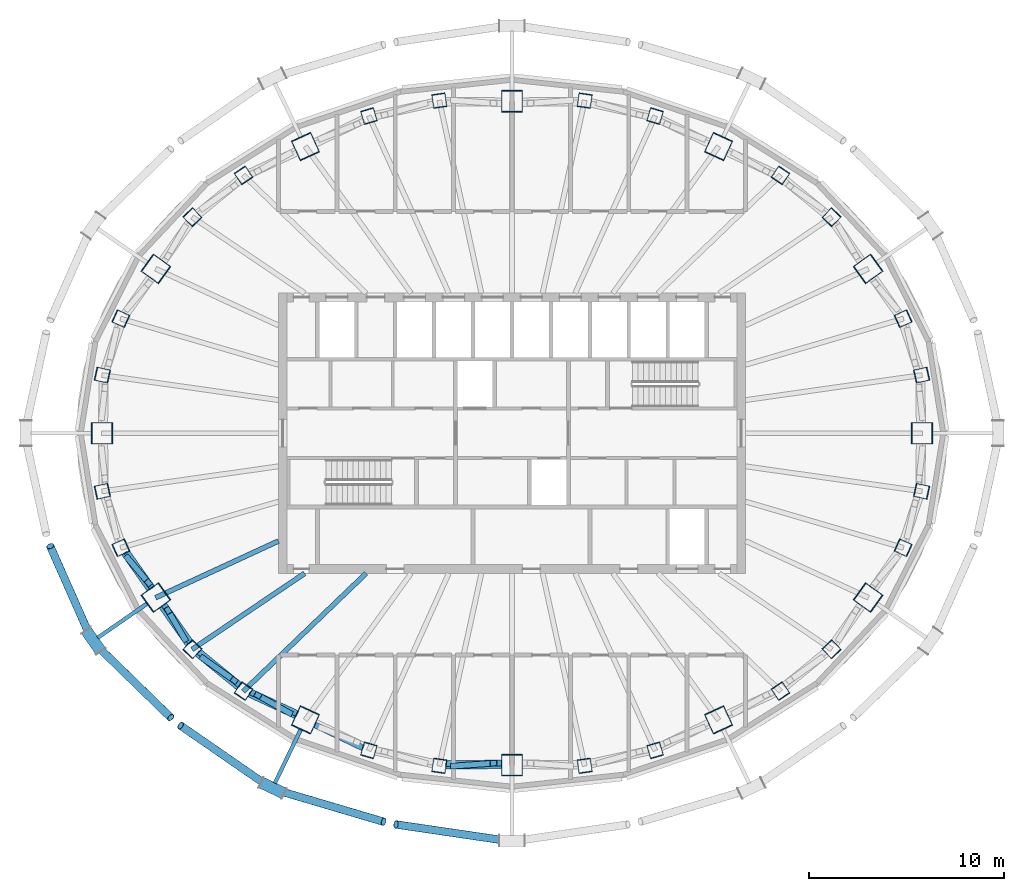
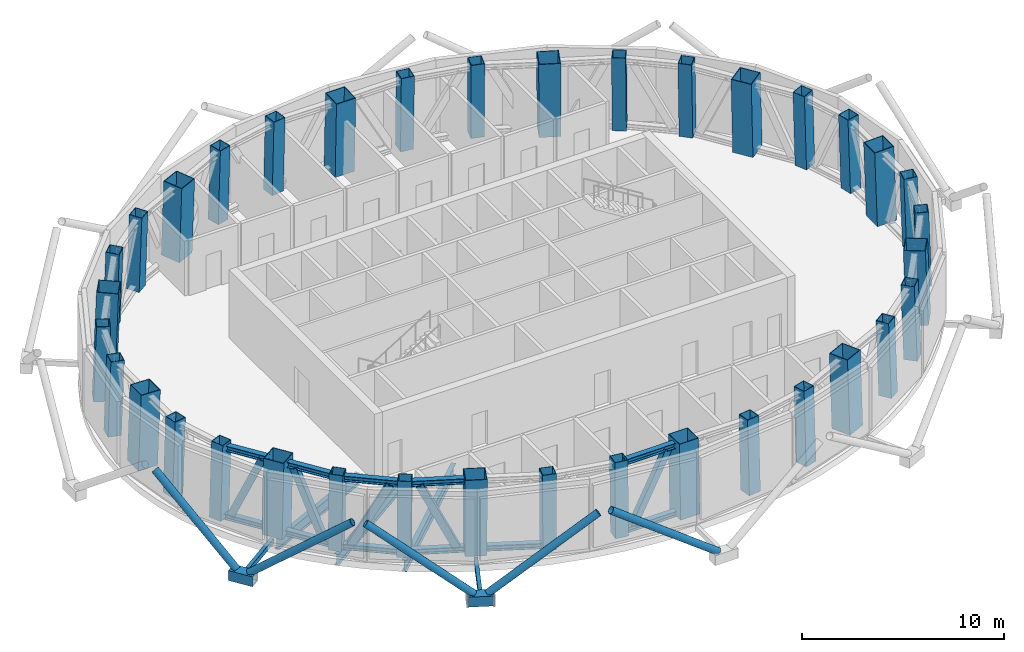
# One storey, part 1 of 15: 36 columns, 14 beams, 14 members.
"""IFC4 building model written with IfcOpenShell, lengths in metres."""

from ifc_helpers import new_model, si_unit, direction, frame, origin, origin_2d, place, context, subcontext, project, spatial, hollow_rectangle, hollow_circle, i_section, extrude, material, material_profile, profile_set, type_object, element, save


model = new_model("IFC4")

# Units and contexts
model_context = context("Model", 3, precision=1e-05, world=origin(), true_north=direction((0.0, 1.0)))
body_context = subcontext(model_context, "Body", "Model", "MODEL_VIEW")
ifc_project = project(units=[si_unit("LENGTHUNIT", "METRE"), si_unit("AREAUNIT", "SQUARE_METRE"), si_unit("VOLUMEUNIT", "CUBIC_METRE"), si_unit("PLANEANGLEUNIT", "RADIAN"), si_unit("MASSUNIT", "GRAM", prefix="KILO")], contexts=[model_context])

# Site, building, storey
site_placement = place(None, origin())
site = spatial("IfcSite", under=ifc_project, at=site_placement, CompositionType="ELEMENT")
building_placement = place(site_placement, origin())
building = spatial("IfcBuilding", under=site, at=building_placement, Name="Siaravel Broadcast Tower", CompositionType="ELEMENT")
storey_placement = place(building_placement, frame((0.0, 0.0, 212.60009765625)))
storey = spatial("IfcBuildingStorey", under=building, at=storey_placement, Name="L51", CompositionType="ELEMENT", Elevation=212.60009765625)

# Columns
ifc_material_1 = material(Name="Concrete C60/75", Category="concrete")
ifc_material_profile_1 = material_profile(ifc_material_1, hollow_rectangle(XDim=1.10009765625, YDim=1.10009765625, WallThickness=0.031982421875, at=origin_2d()))
ifc_profile_set_1 = profile_set([ifc_material_profile_1], Name="Concrete C60/75")
column_type_1 = type_object("IfcColumnType", Name="COL-CFT BOX 1100x1100x32", PredefinedType="COLUMN", material=ifc_profile_set_1)
column_1_placement = place(storey_placement, frame((21.083984375, 0.0, 0.0), z_axis=(-0.034592998, 0.0, 0.999401483), x_axis=(0.0, -1.0, 0.0)))
element("IfcColumn", 1, at=column_1_placement, inside=storey, type_object=column_type_1, Name="Megacolumn MC01", PredefinedType="COLUMN", context=body_context, shape_type="SweptSolid", body=[
    extrude(hollow_rectangle(XDim=1.10009765625, YDim=1.10009765625, WallThickness=0.031982421875, at=origin_2d()), origin(), (0.0, 0.0, 1.0), 4.502685546875),
])
column_2_placement = place(storey_placement, frame((18.312744140625, 8.451904296875, 0.0), z_axis=(-0.029931498, -0.014152393, 0.999451757), x_axis=(0.583579354, -0.81203411, 0.005978456)))
element("IfcColumn", 2, at=column_2_placement, inside=storey, type_object=column_type_1, Name="Megacolumn MC02", PredefinedType="COLUMN", context=body_context, shape_type="SweptSolid", body=[
    extrude(hollow_rectangle(XDim=1.10009765625, YDim=1.10009765625, WallThickness=0.031982421875, at=origin_2d()), origin(), (0.0, 0.0, 1.0), 4.50244140625),
])
column_3_placement = place(storey_placement, frame((10.62158203125, 14.7421875, 0.0), z_axis=(-0.017244854, -0.024511554, 0.999550798), x_axis=(0.908709687, -0.417393207, 0.005442055)))
element("IfcColumn", 3, at=column_3_placement, inside=storey, type_object=column_type_1, Name="Megacolumn MC03", PredefinedType="COLUMN", context=body_context, shape_type="SweptSolid", body=[
    extrude(hollow_rectangle(XDim=1.10009765625, YDim=1.10009765625, WallThickness=0.031982421875, at=origin_2d()), origin(), (0.0, 0.0, 1.0), 4.501953125),
])
column_4_placement = place(storey_placement, frame((0.0, 17.0712890625, 0.0), z_axis=(0.0, -0.02836315, 0.999597685), x_axis=(1.0, 0.0, 0.0)))
element("IfcColumn", 4, at=column_4_placement, inside=storey, type_object=column_type_1, Name="Megacolumn MC04", PredefinedType="COLUMN", context=body_context, shape_type="SweptSolid", body=[
    extrude(hollow_rectangle(XDim=1.10009765625, YDim=1.10009765625, WallThickness=0.031982421875, at=origin_2d()), origin(), (0.0, 0.0, 1.0), 4.501708984375),
])
column_5_placement = place(storey_placement, frame((-10.62158203125, 14.7421875, 0.0), z_axis=(0.017244854, -0.024511554, 0.999550798), x_axis=(0.908709687, 0.417393207, -0.005442055)))
element("IfcColumn", 5, at=column_5_placement, inside=storey, type_object=column_type_1, Name="Megacolumn MC05", PredefinedType="COLUMN", context=body_context, shape_type="SweptSolid", body=[
    extrude(hollow_rectangle(XDim=1.10009765625, YDim=1.10009765625, WallThickness=0.031982421875, at=origin_2d()), origin(), (0.0, 0.0, 1.0), 4.501953125),
])
column_6_placement = place(storey_placement, frame((-18.312744140625, 8.451904296875, 0.0), z_axis=(0.029931498, -0.014152393, 0.999451757), x_axis=(0.583579354, 0.81203411, -0.005978456)))
element("IfcColumn", 6, at=column_6_placement, inside=storey, type_object=column_type_1, Name="Megacolumn MC06", PredefinedType="COLUMN", context=body_context, shape_type="SweptSolid", body=[
    extrude(hollow_rectangle(XDim=1.10009765625, YDim=1.10009765625, WallThickness=0.031982421875, at=origin_2d()), origin(), (0.0, 0.0, 1.0), 4.50244140625),
])
column_7_placement = place(storey_placement, frame((-21.083984375, 0.0, 0.0), z_axis=(0.034592998, 0.0, 0.999401483), x_axis=(0.0, 1.0, 0.0)))
element("IfcColumn", 7, at=column_7_placement, inside=storey, type_object=column_type_1, Name="Megacolumn MC07", PredefinedType="COLUMN", context=body_context, shape_type="SweptSolid", body=[
    extrude(hollow_rectangle(XDim=1.10009765625, YDim=1.10009765625, WallThickness=0.031982421875, at=origin_2d()), origin(), (0.0, 0.0, 1.0), 4.502685546875),
])
column_8_placement = place(storey_placement, frame((-18.312744140625, -8.451904296875, 0.0), z_axis=(0.029931498, 0.014152393, 0.999451757), x_axis=(-0.583579354, 0.81203411, 0.005978456)))
element("IfcColumn", 8, at=column_8_placement, inside=storey, type_object=column_type_1, Name="Megacolumn MC08", PredefinedType="COLUMN", context=body_context, shape_type="SweptSolid", body=[
    extrude(hollow_rectangle(XDim=1.10009765625, YDim=1.10009765625, WallThickness=0.031982421875, at=origin_2d()), origin(), (0.0, 0.0, 1.0), 4.50244140625),
])
column_9_placement = place(storey_placement, frame((-10.62158203125, -14.7421875, 0.0), z_axis=(0.017244854, 0.024511554, 0.999550798), x_axis=(-0.908709687, 0.417393207, 0.005442055)))
element("IfcColumn", 9, at=column_9_placement, inside=storey, type_object=column_type_1, Name="Megacolumn MC09", PredefinedType="COLUMN", context=body_context, shape_type="SweptSolid", body=[
    extrude(hollow_rectangle(XDim=1.10009765625, YDim=1.10009765625, WallThickness=0.031982421875, at=origin_2d()), origin(), (0.0, 0.0, 1.0), 4.501953125),
])
column_10_placement = place(storey_placement, frame((0.0, -17.0712890625, 0.0), z_axis=(0.0, 0.02836315, 0.999597685), x_axis=(-1.0, 0.0, 0.0)))
element("IfcColumn", 10, at=column_10_placement, inside=storey, type_object=column_type_1, Name="Megacolumn MC10", PredefinedType="COLUMN", context=body_context, shape_type="SweptSolid", body=[
    extrude(hollow_rectangle(XDim=1.10009765625, YDim=1.10009765625, WallThickness=0.031982421875, at=origin_2d()), origin(), (0.0, 0.0, 1.0), 4.501708984375),
])
column_11_placement = place(storey_placement, frame((10.62158203125, -14.7421875, 0.0), z_axis=(-0.017244854, 0.024511554, 0.999550798), x_axis=(-0.908709687, -0.417393207, -0.005442055)))
element("IfcColumn", 11, at=column_11_placement, inside=storey, type_object=column_type_1, Name="Megacolumn MC11", PredefinedType="COLUMN", context=body_context, shape_type="SweptSolid", body=[
    extrude(hollow_rectangle(XDim=1.10009765625, YDim=1.10009765625, WallThickness=0.031982421875, at=origin_2d()), origin(), (0.0, 0.0, 1.0), 4.501953125),
])
column_12_placement = place(storey_placement, frame((18.312744140625, -8.451904296875, 0.0), z_axis=(-0.029931498, 0.014152393, 0.999451757), x_axis=(-0.583579354, -0.81203411, -0.005978456)))
element("IfcColumn", 12, at=column_12_placement, inside=storey, type_object=column_type_1, Name="Megacolumn MC12", PredefinedType="COLUMN", context=body_context, shape_type="SweptSolid", body=[
    extrude(hollow_rectangle(XDim=1.10009765625, YDim=1.10009765625, WallThickness=0.031982421875, at=origin_2d()), origin(), (0.0, 0.0, 1.0), 4.50244140625),
])
ifc_material_profile_2 = material_profile(ifc_material_1, hollow_rectangle(XDim=0.699951171875, YDim=0.699951171875, WallThickness=0.02490234375, at=origin_2d()))
ifc_profile_set_2 = profile_set([ifc_material_profile_2], Name="Concrete C60/75")
column_type_2 = type_object("IfcColumnType", Name="COL-CFT BOX 700x700x25", PredefinedType="COLUMN", material=ifc_profile_set_2)
for number, where, z_axis, x_axis, name in (
    (13, (21.06494140625, 2.987060546875, 0.0), (-0.034051008, -0.004934143, 0.999407916), (0.213381349, -0.976965922, 0.002446809), "Perimeter column C01"),
    (14, (20.114990234375, 5.89013671875, 0.0), (-0.032479153, -0.00970579, 0.999425286), (0.411040225, -0.911606077, 0.00450497), "Perimeter column C02"),
):
    element("IfcColumn", number, at=place(storey_placement, frame(where, z_axis=z_axis, x_axis=x_axis)), inside=storey, type_object=column_type_2, Name=name, PredefinedType="COLUMN", context=body_context, shape_type="SweptSolid", body=[
        extrude(hollow_rectangle(XDim=0.699951171875, YDim=0.699951171875, WallThickness=0.02490234375, at=origin_2d()), origin(), (0.0, 0.0, 1.0), 4.502685546875),
    ])
column_13_placement = place(storey_placement, frame((16.43505859375, 11.10791015625, 0.0), z_axis=(-0.026462027, -0.018219756, 0.999483768), x_axis=(0.72149767, -0.692386536, 0.006480522)))
element("IfcColumn", 15, at=column_13_placement, inside=storey, type_object=column_type_2, Name="Perimeter column C03", PredefinedType="COLUMN", context=body_context, shape_type="SweptSolid", body=[
    extrude(hollow_rectangle(XDim=0.699951171875, YDim=0.699951171875, WallThickness=0.02490234375, at=origin_2d()), origin(), (0.0, 0.0, 1.0), 4.50244140625),
])
column_14_placement = place(storey_placement, frame((13.806396484375, 13.2607421875, 0.0), z_axis=(-0.022233164, -0.021745119, 0.999516301), x_axis=(0.829145221, -0.558997976, 0.006282083)))
element("IfcColumn", 16, at=column_14_placement, inside=storey, type_object=column_type_2, Name="Perimeter column C04", PredefinedType="COLUMN", context=body_context, shape_type="SweptSolid", body=[
    extrude(hollow_rectangle(XDim=0.699951171875, YDim=0.699951171875, WallThickness=0.02490234375, at=origin_2d()), origin(), (0.0, 0.0, 1.0), 4.502197265625),
])
for number, where, z_axis, x_axis, name in (
    (17, (7.35888671875, 16.30859375, 0.0), (-0.011822237, -0.026627147, 0.999575525), (0.959998336, -0.2799786, 0.00389595), "Perimeter column C05"),
    (18, (3.73779296875, 17.103515625, 0.0), (-0.006019677, -0.027929132, 0.99959178), (0.990132449, -0.140119739, 0.002047691), "Perimeter column C06"),
    (19, (-3.73779296875, 17.103515625, 0.0), (0.006019677, -0.027929132, 0.99959178), (0.990132449, 0.140119739, -0.002047691), "Perimeter column C07"),
    (20, (-7.35888671875, 16.30859375, 0.0), (0.011822237, -0.026627147, 0.999575525), (0.959998336, 0.2799786, -0.00389595), "Perimeter column C08"),
):
    element("IfcColumn", number, at=place(storey_placement, frame(where, z_axis=z_axis, x_axis=x_axis)), inside=storey, type_object=column_type_2, Name=name, PredefinedType="COLUMN", context=body_context, shape_type="SweptSolid", body=[
        extrude(hollow_rectangle(XDim=0.699951171875, YDim=0.699951171875, WallThickness=0.02490234375, at=origin_2d()), origin(), (0.0, 0.0, 1.0), 4.501953125),
    ])
column_15_placement = place(storey_placement, frame((-13.806396484375, 13.2607421875, 0.0), z_axis=(0.022233164, -0.021745119, 0.999516301), x_axis=(0.829145221, 0.558997976, -0.006282083)))
element("IfcColumn", 21, at=column_15_placement, inside=storey, type_object=column_type_2, Name="Perimeter column C09", PredefinedType="COLUMN", context=body_context, shape_type="SweptSolid", body=[
    extrude(hollow_rectangle(XDim=0.699951171875, YDim=0.699951171875, WallThickness=0.02490234375, at=origin_2d()), origin(), (0.0, 0.0, 1.0), 4.502197265625),
])
column_16_placement = place(storey_placement, frame((-16.43505859375, 11.10791015625, 0.0), z_axis=(0.026462027, -0.018219756, 0.999483768), x_axis=(0.72149767, 0.692386536, -0.006480522)))
element("IfcColumn", 22, at=column_16_placement, inside=storey, type_object=column_type_2, Name="Perimeter column C10", PredefinedType="COLUMN", context=body_context, shape_type="SweptSolid", body=[
    extrude(hollow_rectangle(XDim=0.699951171875, YDim=0.699951171875, WallThickness=0.02490234375, at=origin_2d()), origin(), (0.0, 0.0, 1.0), 4.50244140625),
])
for number, where, z_axis, x_axis, name in (
    (23, (-20.114990234375, 5.89013671875, 0.0), (0.032479153, -0.00970579, 0.999425286), (0.411040225, 0.911606077, -0.00450497), "Perimeter column C11"),
    (24, (-21.06494140625, 2.987060546875, 0.0), (0.034051008, -0.004934143, 0.999407916), (0.213381349, 0.976965922, -0.002446809), "Perimeter column C12"),
    (25, (-21.06494140625, -2.987060546875, 0.0), (0.034051008, 0.004934143, 0.999407916), (-0.213381349, 0.976965922, 0.002446809), "Perimeter column C13"),
    (26, (-20.114990234375, -5.89013671875, 0.0), (0.032479153, 0.00970579, 0.999425286), (-0.411040225, 0.911606077, 0.00450497), "Perimeter column C14"),
):
    element("IfcColumn", number, at=place(storey_placement, frame(where, z_axis=z_axis, x_axis=x_axis)), inside=storey, type_object=column_type_2, Name=name, PredefinedType="COLUMN", context=body_context, shape_type="SweptSolid", body=[
        extrude(hollow_rectangle(XDim=0.699951171875, YDim=0.699951171875, WallThickness=0.02490234375, at=origin_2d()), origin(), (0.0, 0.0, 1.0), 4.502685546875),
    ])
column_17_placement = place(storey_placement, frame((-16.43505859375, -11.10791015625, 0.0), z_axis=(0.026462027, 0.018219756, 0.999483768), x_axis=(-0.72149767, 0.692386536, 0.006480522)))
element("IfcColumn", 27, at=column_17_placement, inside=storey, type_object=column_type_2, Name="Perimeter column C15", PredefinedType="COLUMN", context=body_context, shape_type="SweptSolid", body=[
    extrude(hollow_rectangle(XDim=0.699951171875, YDim=0.699951171875, WallThickness=0.02490234375, at=origin_2d()), origin(), (0.0, 0.0, 1.0), 4.50244140625),
])
column_18_placement = place(storey_placement, frame((-13.806396484375, -13.2607421875, 0.0), z_axis=(0.022233164, 0.021745119, 0.999516301), x_axis=(-0.829145221, 0.558997976, 0.006282083)))
element("IfcColumn", 28, at=column_18_placement, inside=storey, type_object=column_type_2, Name="Perimeter column C16", PredefinedType="COLUMN", context=body_context, shape_type="SweptSolid", body=[
    extrude(hollow_rectangle(XDim=0.699951171875, YDim=0.699951171875, WallThickness=0.02490234375, at=origin_2d()), origin(), (0.0, 0.0, 1.0), 4.502197265625),
])
for number, where, z_axis, x_axis, name in (
    (29, (-7.35888671875, -16.30859375, 0.0), (0.011822237, 0.026627147, 0.999575525), (-0.959998336, 0.2799786, 0.00389595), "Perimeter column C17"),
    (30, (-3.73779296875, -17.103515625, 0.0), (0.006019677, 0.027929132, 0.99959178), (-0.990132449, 0.140119739, 0.002047691), "Perimeter column C18"),
    (31, (3.73779296875, -17.103515625, 0.0), (-0.006019677, 0.027929132, 0.99959178), (-0.990132449, -0.140119739, -0.002047691), "Perimeter column C19"),
    (32, (7.35888671875, -16.30859375, 0.0), (-0.011822237, 0.026627147, 0.999575525), (-0.959998336, -0.2799786, -0.00389595), "Perimeter column C20"),
):
    element("IfcColumn", number, at=place(storey_placement, frame(where, z_axis=z_axis, x_axis=x_axis)), inside=storey, type_object=column_type_2, Name=name, PredefinedType="COLUMN", context=body_context, shape_type="SweptSolid", body=[
        extrude(hollow_rectangle(XDim=0.699951171875, YDim=0.699951171875, WallThickness=0.02490234375, at=origin_2d()), origin(), (0.0, 0.0, 1.0), 4.501953125),
    ])
column_19_placement = place(storey_placement, frame((13.806396484375, -13.2607421875, 0.0), z_axis=(-0.022233164, 0.021745119, 0.999516301), x_axis=(-0.829145221, -0.558997976, -0.006282083)))
element("IfcColumn", 33, at=column_19_placement, inside=storey, type_object=column_type_2, Name="Perimeter column C21", PredefinedType="COLUMN", context=body_context, shape_type="SweptSolid", body=[
    extrude(hollow_rectangle(XDim=0.699951171875, YDim=0.699951171875, WallThickness=0.02490234375, at=origin_2d()), origin(), (0.0, 0.0, 1.0), 4.502197265625),
])
column_20_placement = place(storey_placement, frame((16.43505859375, -11.10791015625, 0.0), z_axis=(-0.026462027, 0.018219756, 0.999483768), x_axis=(-0.72149767, -0.692386536, -0.006480522)))
element("IfcColumn", 34, at=column_20_placement, inside=storey, type_object=column_type_2, Name="Perimeter column C22", PredefinedType="COLUMN", context=body_context, shape_type="SweptSolid", body=[
    extrude(hollow_rectangle(XDim=0.699951171875, YDim=0.699951171875, WallThickness=0.02490234375, at=origin_2d()), origin(), (0.0, 0.0, 1.0), 4.50244140625),
])
for number, where, z_axis, x_axis, name in (
    (35, (20.114990234375, -5.89013671875, 0.0), (-0.032479153, 0.00970579, 0.999425286), (-0.411040225, -0.911606077, -0.00450497), "Perimeter column C23"),
    (36, (21.06494140625, -2.987060546875, 0.0), (-0.034051008, 0.004934143, 0.999407916), (-0.213381349, -0.976965922, -0.002446809), "Perimeter column C24"),
):
    element("IfcColumn", number, at=place(storey_placement, frame(where, z_axis=z_axis, x_axis=x_axis)), inside=storey, type_object=column_type_2, Name=name, PredefinedType="COLUMN", context=body_context, shape_type="SweptSolid", body=[
        extrude(hollow_rectangle(XDim=0.699951171875, YDim=0.699951171875, WallThickness=0.02490234375, at=origin_2d()), origin(), (0.0, 0.0, 1.0), 4.502685546875),
    ])

# Beams
ifc_material_2 = material(Name="Steel S355", Category="steel")
ifc_material_profile_3 = material_profile(ifc_material_2, i_section(OverallWidth=0.2529296875, OverallDepth=0.677978515625, WebThickness=0.01171875, FlangeThickness=0.01611328125, FilletRadius=0.01513671875, at=origin_2d()))
ifc_profile_set_3 = profile_set([ifc_material_profile_3], Name="Steel S355")
beam_type_1 = type_object("IfcBeamType", Name="BM-UB 686x254x125", PredefinedType="BEAM", material=ifc_profile_set_3)
beam_1_placement = place(storey_placement, frame((-18.312744140625, -8.451904296875, -0.739013671875), z_axis=(0.907959385, 0.419058177, 0.0), x_axis=(-0.419058177, 0.907959385, 0.0)))
element("IfcBeam", 37, at=beam_1_placement, inside=storey, type_object=beam_type_1, Name="Radial beam RB22", PredefinedType="BEAM", context=body_context, shape_type="SweptSolid", body=[
    extrude(i_section(OverallWidth=0.2529296875, OverallDepth=0.677978515625, WebThickness=0.01171875, FlangeThickness=0.01611328125, FilletRadius=0.01513671875, at=origin_2d()), origin(), (0.0, 0.0, 1.0), 6.95263671875),
])
beam_2_placement = place(storey_placement, frame((-16.43505859375, -11.10791015625, -0.739013671875), z_axis=(0.828508257, 0.559976847, 0.0), x_axis=(-0.559976847, 0.828508257, 0.0)))
element("IfcBeam", 38, at=beam_2_placement, inside=storey, type_object=beam_type_1, Name="Radial beam RB23", PredefinedType="BEAM", context=body_context, shape_type="SweptSolid", body=[
    extrude(i_section(OverallWidth=0.2529296875, OverallDepth=0.677978515625, WebThickness=0.01171875, FlangeThickness=0.01611328125, FilletRadius=0.01513671875, at=origin_2d()), origin(), (0.0, 0.0, 1.0), 6.978759765625),
])
beam_3_placement = place(storey_placement, frame((-13.806396484375, -13.2607421875, -0.739013671875), z_axis=(0.721208302, 0.692718258, 0.0), x_axis=(-0.692718258, 0.721208302, 0.0)))
element("IfcBeam", 39, at=beam_3_placement, inside=storey, type_object=beam_type_1, Name="Radial beam RB24", PredefinedType="BEAM", context=body_context, shape_type="SweptSolid", body=[
    extrude(i_section(OverallWidth=0.2529296875, OverallDepth=0.677978515625, WebThickness=0.01171875, FlangeThickness=0.01611328125, FilletRadius=0.01513671875, at=origin_2d()), origin(), (0.0, 0.0, 1.0), 8.749267578125),
])
ifc_material_3 = material(Name="Steel S460", Category="steel")
ifc_material_profile_4 = material_profile(ifc_material_3, i_section(OverallWidth=0.311279296875, OverallDepth=0.3271484375, WebThickness=0.015869140625, FlangeThickness=0.02490234375, FilletRadius=0.01513671875, at=origin_2d()))
ifc_profile_set_4 = profile_set([ifc_material_profile_4], Name="Steel S460")
beam_type_2 = type_object("IfcBeamType", Name="Belt truss chord UC 305x305x158", PredefinedType="BEAM", material=ifc_profile_set_4)
beam_4_placement = place(storey_placement, frame((-19.930908203125, -6.15185546875, 0.163330078125), z_axis=(0.575369398, -0.81789367, 0.0), x_axis=(0.81789367, 0.575369398, 0.0)))
element("IfcBeam", 40, at=beam_4_placement, inside=storey, type_object=beam_type_2, Name="Belt truss 3 bottom chord 21", PredefinedType="BEAM", context=body_context, shape_type="SweptSolid", body=[
    extrude(i_section(OverallWidth=0.311279296875, OverallDepth=0.3271484375, WebThickness=0.015869140625, FlangeThickness=0.02490234375, FilletRadius=0.01513671875, at=origin_2d()), origin(), (0.0, 0.0, 1.0), 2.292236328125),
])
beam_5_placement = place(storey_placement, frame((-19.784423828125, -6.10791015625, 4.1865234375), z_axis=(0.576015624, -0.817438683, 0.0), x_axis=(0.817438683, 0.576015624, 0.0)))
element("IfcBeam", 41, at=beam_5_placement, inside=storey, type_object=beam_type_2, Name="Belt truss 3 top chord 21", PredefinedType="BEAM", context=body_context, shape_type="SweptSolid", body=[
    extrude(i_section(OverallWidth=0.311279296875, OverallDepth=0.3271484375, WebThickness=0.015869140625, FlangeThickness=0.02490234375, FilletRadius=0.01513671875, at=origin_2d()), origin(), (0.0, 0.0, 1.0), 2.269287109375),
])
beam_6_placement = place(storey_placement, frame((-18.0126953125, -8.87646484375, 0.163330078125), z_axis=(0.577306781, -0.81652733, 0.0), x_axis=(0.81652733, 0.577306781, 0.0)))
element("IfcBeam", 42, at=beam_6_placement, inside=storey, type_object=beam_type_2, Name="Belt truss 3 bottom chord 22", PredefinedType="BEAM", context=body_context, shape_type="SweptSolid", body=[
    extrude(i_section(OverallWidth=0.311279296875, OverallDepth=0.3271484375, WebThickness=0.015869140625, FlangeThickness=0.02490234375, FilletRadius=0.01513671875, at=origin_2d()), origin(), (0.0, 0.0, 1.0), 2.41259765625),
])
beam_7_placement = place(storey_placement, frame((-17.8779296875, -8.81298828125, 4.1865234375), z_axis=(0.576675172, -0.816973529, 0.0), x_axis=(0.816973529, 0.576675172, 0.0)))
element("IfcBeam", 43, at=beam_7_placement, inside=storey, type_object=beam_type_2, Name="Belt truss 3 top chord 22", PredefinedType="BEAM", context=body_context, shape_type="SweptSolid", body=[
    extrude(i_section(OverallWidth=0.311279296875, OverallDepth=0.3271484375, WebThickness=0.015869140625, FlangeThickness=0.02490234375, FilletRadius=0.01513671875, at=origin_2d()), origin(), (0.0, 0.0, 1.0), 2.388671875),
])
beam_8_placement = place(storey_placement, frame((-16.1875, -11.310546875, 0.163330078125), z_axis=(0.773621896, -0.633647506, 0.0), x_axis=(0.633647506, 0.773621896, 0.0)))
element("IfcBeam", 44, at=beam_8_placement, inside=storey, type_object=beam_type_2, Name="Belt truss 3 bottom chord 23", PredefinedType="BEAM", context=body_context, shape_type="SweptSolid", body=[
    extrude(i_section(OverallWidth=0.311279296875, OverallDepth=0.3271484375, WebThickness=0.015869140625, FlangeThickness=0.02490234375, FilletRadius=0.01513671875, at=origin_2d()), origin(), (0.0, 0.0, 1.0), 2.757568359375),
])
beam_9_placement = place(storey_placement, frame((-16.068115234375, -11.228515625, 4.1865234375), z_axis=(0.773590966, -0.633685267, 0.0), x_axis=(0.633685267, 0.773590966, 0.0)))
element("IfcBeam", 45, at=beam_9_placement, inside=storey, type_object=beam_type_2, Name="Belt truss 3 top chord 23", PredefinedType="BEAM", context=body_context, shape_type="SweptSolid", body=[
    extrude(i_section(OverallWidth=0.311279296875, OverallDepth=0.3271484375, WebThickness=0.015869140625, FlangeThickness=0.02490234375, FilletRadius=0.01513671875, at=origin_2d()), origin(), (0.0, 0.0, 1.0), 2.732666015625),
])
beam_10_placement = place(storey_placement, frame((-13.516357421875, -13.395751953125, 0.163330078125), z_axis=(0.906695926, -0.421784896, 0.0), x_axis=(0.421784896, 0.906695926, 0.0)))
element("IfcBeam", 46, at=beam_10_placement, inside=storey, type_object=beam_type_2, Name="Belt truss 3 bottom chord 24", PredefinedType="BEAM", context=body_context, shape_type="SweptSolid", body=[
    extrude(i_section(OverallWidth=0.311279296875, OverallDepth=0.3271484375, WebThickness=0.015869140625, FlangeThickness=0.02490234375, FilletRadius=0.01513671875, at=origin_2d()), origin(), (0.0, 0.0, 1.0), 2.67236328125),
])
beam_11_placement = place(storey_placement, frame((-13.416259765625, -13.297607421875, 4.1865234375), z_axis=(0.906966188, -0.421203435, 0.0), x_axis=(0.421203435, 0.906966188, 0.0)))
element("IfcBeam", 47, at=beam_11_placement, inside=storey, type_object=beam_type_2, Name="Belt truss 3 top chord 24", PredefinedType="BEAM", context=body_context, shape_type="SweptSolid", body=[
    extrude(i_section(OverallWidth=0.311279296875, OverallDepth=0.3271484375, WebThickness=0.015869140625, FlangeThickness=0.02490234375, FilletRadius=0.01513671875, at=origin_2d()), origin(), (0.0, 0.0, 1.0), 2.647216796875),
])
beam_12_placement = place(storey_placement, frame((-10.15283203125, -14.96728515625, 0.163330078125), z_axis=(0.901497012, -0.432785324, 0.0), x_axis=(0.432785324, 0.901497012, 0.0)))
element("IfcBeam", 48, at=beam_12_placement, inside=storey, type_object=beam_type_2, Name="Belt truss 3 bottom chord 25", PredefinedType="BEAM", context=body_context, shape_type="SweptSolid", body=[
    extrude(i_section(OverallWidth=0.311279296875, OverallDepth=0.3271484375, WebThickness=0.015869140625, FlangeThickness=0.02490234375, FilletRadius=0.01513671875, at=origin_2d()), origin(), (0.0, 0.0, 1.0), 2.779296875),
])
beam_13_placement = place(storey_placement, frame((-3.41796875, -17.1005859375, 0.163330078125), z_axis=(0.999963081, 0.008592775, 0.0), x_axis=(-0.008592775, 0.999963081, 0.0)))
element("IfcBeam", 49, at=beam_13_placement, inside=storey, type_object=beam_type_2, Name="Belt truss 3 bottom chord 27", PredefinedType="BEAM", context=body_context, shape_type="SweptSolid", body=[
    extrude(i_section(OverallWidth=0.311279296875, OverallDepth=0.3271484375, WebThickness=0.015869140625, FlangeThickness=0.02490234375, FilletRadius=0.01513671875, at=origin_2d()), origin(), (0.0, 0.0, 1.0), 2.89794921875),
])
beam_14_placement = place(storey_placement, frame((-3.390869140625, -16.974853515625, 4.1865234375), z_axis=(0.999957826, 0.009184067, 0.0), x_axis=(-0.009184067, 0.999957826, 0.0)))
element("IfcBeam", 50, at=beam_14_placement, inside=storey, type_object=beam_type_2, Name="Belt truss 3 top chord 27", PredefinedType="BEAM", context=body_context, shape_type="SweptSolid", body=[
    extrude(i_section(OverallWidth=0.311279296875, OverallDepth=0.3271484375, WebThickness=0.015869140625, FlangeThickness=0.02490234375, FilletRadius=0.01513671875, at=origin_2d()), origin(), (0.0, 0.0, 1.0), 2.870849609375),
])

# Members
ifc_material_profile_5 = material_profile(ifc_material_3, hollow_rectangle(XDim=0.300048828125, YDim=0.39990234375, WallThickness=0.01611328125, at=origin_2d()))
ifc_profile_set_5 = profile_set([ifc_material_profile_5], Name="Steel S460")
member_type_1 = type_object("IfcMemberType", Name="Belt truss web RHS 400x300x16", PredefinedType="BRACE", material=ifc_profile_set_5)
member_1_placement = place(storey_placement, frame((-19.733154296875, -6.43310546875, 0.297119140625), z_axis=(0.258554011, -0.305439266, 0.916436947), x_axis=(0.763256394, 0.646095718, 0.0)))
element("IfcMember", 51, at=member_1_placement, inside=storey, type_object=member_type_1, Name="Belt truss 3 web 21", PredefinedType="BRACE", context=body_context, shape_type="SweptSolid", body=[
    extrude(hollow_rectangle(XDim=0.300048828125, YDim=0.39990234375, WallThickness=0.01611328125, at=origin_2d()), origin(), (0.0, 0.0, 1.0), 4.09814453125),
])
member_2_placement = place(storey_placement, frame((-16.82861328125, -10.551025390625, 0.297119140625), z_axis=(-0.204983139, 0.351535394, 0.913457596), x_axis=(-0.863863569, -0.503725852, 0.0)))
element("IfcMember", 52, at=member_2_placement, inside=storey, type_object=member_type_1, Name="Belt truss 3 web 22", PredefinedType="BRACE", context=body_context, shape_type="SweptSolid", body=[
    extrude(hollow_rectangle(XDim=0.300048828125, YDim=0.39990234375, WallThickness=0.01611328125, at=origin_2d()), origin(), (0.0, 0.0, 1.0), 4.111328125),
])
member_3_placement = place(storey_placement, frame((-15.867431640625, -11.57275390625, 0.297119140625), z_axis=(0.377070618, -0.266354058, 0.887058772), x_axis=(0.576952888, 0.816777427, 0.0)))
element("IfcMember", 53, at=member_3_placement, inside=storey, type_object=member_type_1, Name="Belt truss 3 web 23", PredefinedType="BRACE", context=body_context, shape_type="SweptSolid", body=[
    extrude(hollow_rectangle(XDim=0.300048828125, YDim=0.39990234375, WallThickness=0.01611328125, at=origin_2d()), origin(), (0.0, 0.0, 1.0), 4.23388671875),
])
member_4_placement = place(storey_placement, frame((-11.456787109375, -14.35400390625, 0.297119140625), z_axis=(-0.382838197, 0.212778793, 0.898977252), x_axis=(-0.485801523, -0.874069151, 0.0)))
element("IfcMember", 54, at=member_4_placement, inside=storey, type_object=member_type_1, Name="Belt truss 3 web 24", PredefinedType="BRACE", context=body_context, shape_type="SweptSolid", body=[
    extrude(hollow_rectangle(XDim=0.300048828125, YDim=0.39990234375, WallThickness=0.01611328125, at=origin_2d()), origin(), (0.0, 0.0, 1.0), 4.177734375),
])
member_5_placement = place(storey_placement, frame((-2.983154296875, -17.096923828125, 0.297119140625), z_axis=(0.475681065, 0.033826209, 0.878967185), x_axis=(-0.070931993, 0.997481154, 0.0)))
element("IfcMember", 55, at=member_5_placement, inside=storey, type_object=member_type_1, Name="Belt truss 3 web 27", PredefinedType="BRACE", context=body_context, shape_type="SweptSolid", body=[
    extrude(hollow_rectangle(XDim=0.300048828125, YDim=0.39990234375, WallThickness=0.01611328125, at=origin_2d()), origin(), (0.0, 0.0, 1.0), 4.272705078125),
])
ifc_material_profile_6 = material_profile(ifc_material_3, hollow_circle(Radius=0.203125, WallThickness=0.01611328125, at=origin_2d()))
ifc_profile_set_6 = profile_set([ifc_material_profile_6], Name="Steel S460")
member_type_2 = type_object("IfcMemberType", Name="Diagrid diagonal CHS 406.4x16", PredefinedType="BRACE", material=ifc_profile_set_6)
member_6_placement = place(storey_placement, frame((-21.689697265625, -10.397705078125, 0.06982421875), z_axis=(-0.317868325, 0.718237409, 0.618946486), x_axis=(-0.914447525, -0.404704489, 0.0)))
element("IfcMember", 56, at=member_6_placement, inside=storey, type_object=member_type_2, Name="Diagrid diagonal R21 station 42C", PredefinedType="BRACE", context=body_context, shape_type="SweptSolid", body=[
    extrude(hollow_circle(Radius=0.203125, WallThickness=0.01611328125, at=origin_2d()), origin(), (0.0, 0.0, 1.0), 6.39794921875),
])
member_7_placement = place(storey_placement, frame((-21.31689453125, -10.926513671875, 0.06982421875), z_axis=(0.573641114, -0.557889463, 0.599745963), x_axis=(0.697195839, 0.716880717, 0.0)))
element("IfcMember", 57, at=member_7_placement, inside=storey, type_object=member_type_2, Name="Diagrid diagonal R21 station 42A", PredefinedType="BRACE", context=body_context, shape_type="SweptSolid", body=[
    extrude(hollow_circle(Radius=0.203125, WallThickness=0.01611328125, at=origin_2d()), origin(), (0.0, 0.0, 1.0), 6.602783203125),
])
member_8_placement = place(storey_placement, frame((-12.592041015625, -18.085205078125, 0.06982421875), z_axis=(-0.663164598, 0.458117447, 0.591896208), x_axis=(-0.568373921, -0.822770373, 0.0)))
element("IfcMember", 58, at=member_8_placement, inside=storey, type_object=member_type_2, Name="Diagrid diagonal R21 station 48C", PredefinedType="BRACE", context=body_context, shape_type="SweptSolid", body=[
    extrude(hollow_circle(Radius=0.203125, WallThickness=0.01611328125, at=origin_2d()), origin(), (0.0, 0.0, 1.0), 6.690185546875),
])
member_9_placement = place(storey_placement, frame((-12.007080078125, -18.36181640625, 0.06982421875), z_axis=(0.785034847, -0.231919578, 0.574398467), x_axis=(0.283320821, 0.959025189, 0.0)))
element("IfcMember", 59, at=member_9_placement, inside=storey, type_object=member_type_2, Name="Diagrid diagonal R21 station 48A", PredefinedType="BRACE", context=body_context, shape_type="SweptSolid", body=[
    extrude(hollow_circle(Radius=0.203125, WallThickness=0.01611328125, at=origin_2d()), origin(), (0.0, 0.0, 1.0), 6.89404296875),
])
member_10_placement = place(storey_placement, frame((-0.323486328125, -20.9287109375, 0.06982421875), z_axis=(-0.812523548, 0.119491861, 0.570549892), x_axis=(-0.14549769, -0.989358591, 0.0)))
element("IfcMember", 60, at=member_10_placement, inside=storey, type_object=member_type_2, Name="Diagrid diagonal R21 station 54C", PredefinedType="BRACE", context=body_context, shape_type="SweptSolid", body=[
    extrude(hollow_circle(Radius=0.203125, WallThickness=0.01611328125, at=origin_2d()), origin(), (0.0, 0.0, 1.0), 6.940673828125),
])
ifc_material_profile_7 = material_profile(ifc_material_3, hollow_rectangle(XDim=0.60009765625, YDim=0.60009765625, WallThickness=0.031982421875, at=origin_2d()))
ifc_profile_set_7 = profile_set([ifc_material_profile_7], Name="Steel S460")
member_type_3 = type_object("IfcMemberType", Name="Diagrid node BOX 600x600x32", PredefinedType="USERDEFINED", material=ifc_profile_set_7)
for number, where, z_axis, x_axis, name in (
    (61, (-21.8759765625, -10.133544921875, -0.2001953125), (0.576030928, -0.817427899, 0.0), (0.817427899, 0.576030928, 0.0), "Diagrid node R21 station 42"),
    (62, (-12.88427734375, -17.947021484375, -0.2001953125), (0.903991359, -0.427550726, 0.0), (0.427550726, 0.903991359, 0.0), "Diagrid node R21 station 48"),
):
    element("IfcMember", number, at=place(storey_placement, frame(where, z_axis=z_axis, x_axis=x_axis)), inside=storey, type_object=member_type_3, Name=name, ObjectType="DIAGRID NODE", PredefinedType="USERDEFINED", context=body_context, shape_type="SweptSolid", body=[
        extrude(hollow_rectangle(XDim=0.60009765625, YDim=0.60009765625, WallThickness=0.031982421875, at=origin_2d()), origin(), (0.0, 0.0, 1.0), 1.29345703125),
    ])
ifc_material_profile_8 = material_profile(ifc_material_3, hollow_rectangle(XDim=0.199951171875, YDim=0.300048828125, WallThickness=0.012451171875, at=origin_2d()))
ifc_profile_set_8 = profile_set([ifc_material_profile_8], Name="Steel S460")
member_type_4 = type_object("IfcMemberType", Name="Diagrid node arm RHS 300x200x12.5", PredefinedType="STRUT", material=ifc_profile_set_8)
member_11_placement = place(storey_placement, frame((-18.740234375, -8.748046875, -0.2001953125), z_axis=(-0.822052855, -0.569411191, 0.0), x_axis=(0.569411191, -0.822052855, 0.0)))
element("IfcMember", 63, at=member_11_placement, inside=storey, type_object=member_type_4, Name="Node arm R21 station 42", PredefinedType="STRUT", context=body_context, shape_type="SweptSolid", body=[
    extrude(hollow_rectangle(XDim=0.199951171875, YDim=0.300048828125, WallThickness=0.012451171875, at=origin_2d()), origin(), (0.0, 0.0, 1.0), 3.09130859375),
])
member_12_placement = place(storey_placement, frame((-10.847412109375, -15.210693359375, -0.2001953125), z_axis=(-0.434207139, -0.900813055, 0.0), x_axis=(0.900813055, -0.434207139, 0.0)))
element("IfcMember", 64, at=member_12_placement, inside=storey, type_object=member_type_4, Name="Node arm R21 station 48", PredefinedType="STRUT", context=body_context, shape_type="SweptSolid", body=[
    extrude(hollow_rectangle(XDim=0.199951171875, YDim=0.300048828125, WallThickness=0.012451171875, at=origin_2d()), origin(), (0.0, 0.0, 1.0), 3.074462890625),
])

save(model, "model.ifc")
